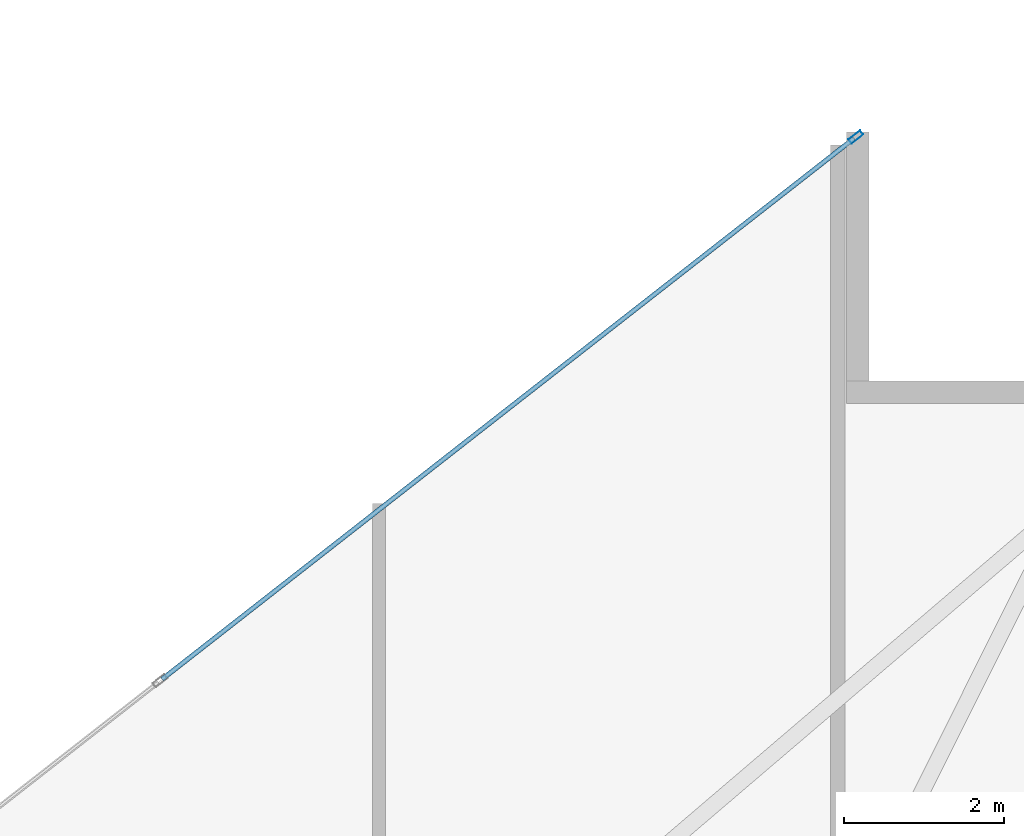
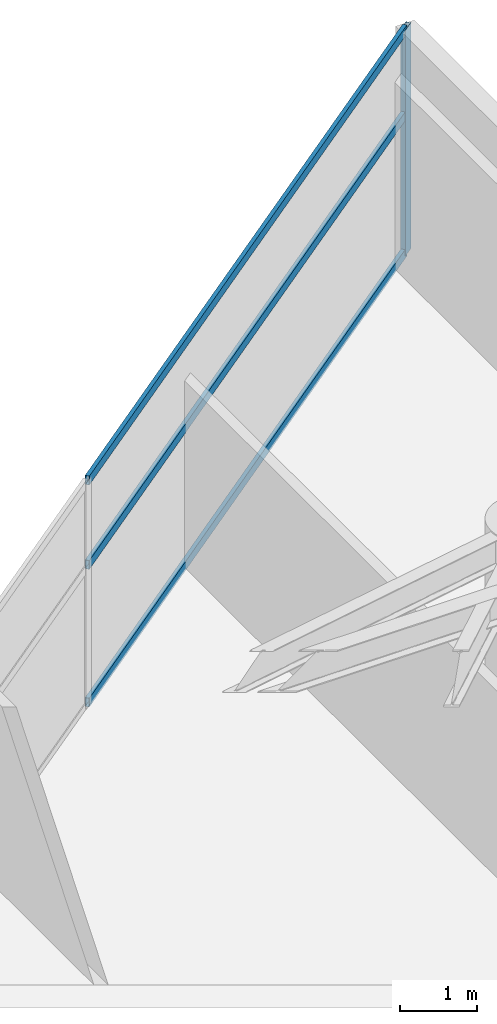
# One storey, part 22 of 30: 4 members, 1 element without a shape of its own.
"""IFC4 building model written with IfcOpenShell, lengths in metres."""

from ifc_helpers import new_model, si_unit, direction, frame, origin, origin_2d, place, context, subcontext, project, spatial, hollow_rectangle, extrude, material, layer, layer_set, material_profile, profile_set, type_object, element, aggregate, save


model = new_model("IFC4")

# Units and contexts
model_context = context("Model", 3, precision=1e-05, world=origin(), true_north=direction((0.0, 1.0)))
body_context = subcontext(model_context, "Body", "Model", "MODEL_VIEW")
ifc_project = project(units=[si_unit("LENGTHUNIT", "METRE"), si_unit("AREAUNIT", "SQUARE_METRE"), si_unit("VOLUMEUNIT", "CUBIC_METRE"), si_unit("PLANEANGLEUNIT", "RADIAN"), si_unit("MASSUNIT", "GRAM", prefix="KILO")], contexts=[model_context])

# Site, building, storey
site_placement = place(None, origin())
site = spatial("IfcSite", under=ifc_project, at=site_placement, CompositionType="ELEMENT")
building_placement = place(site_placement, origin())
building = spatial("IfcBuilding", under=site, at=building_placement, Name="Calvorn Quay Hotel", CompositionType="ELEMENT")
storey_placement = place(building_placement, frame((0.0, 0.0, 203.39990234375)))
storey = spatial("IfcBuildingStorey", under=building, at=storey_placement, Name="L50", CompositionType="ELEMENT", Elevation=203.39990234375)

# Curtain wall, members
ifc_material_1 = material(Name="Champagne Bronze Anodised Aluminium and Low-E Glass", Category="aluminium")
ifc_layer = layer(ifc_material_1, 0.219970703125)
ifc_layer_set = layer_set([ifc_layer], Name="CW-SYS-Z3")
curtain_wall_type = type_object("IfcCurtainWallType", Name="CW-SYS-Z3", PredefinedType="NOTDEFINED", material=ifc_layer_set)
curtain_wall_placement = place(storey_placement, origin())
curtain_wall = element("IfcCurtainWall", 1, at=curtain_wall_placement, inside=storey, type_object=curtain_wall_type, Name="Inner Court Curtain Wall L50-NE1", PredefinedType="NOTDEFINED")
ifc_material_2 = material(Name="Champagne Bronze Anodised Aluminium 6063-T6", Category="aluminium")
ifc_material_profile_1 = material_profile(ifc_material_2, hollow_rectangle(XDim=0.068115234375, YDim=0.18505859375, WallThickness=0.00390625, at=origin_2d()), Name="ALU-M185x68x4")
ifc_profile_set_1 = profile_set([ifc_material_profile_1], Name="Champagne Bronze Anodised Aluminium 6063-T6")
member_type_1 = type_object("IfcMemberType", Name="CW-SYS-Z3-MUL", PredefinedType="MULLION", material=ifc_profile_set_1)
member_1_placement = place(storey_placement, frame((38.976318359375, 37.9814453125, 0.0), z_axis=(0.0, 0.0, 1.0), x_axis=(0.615819768044, -0.787887056174, 0.0)))
member_1 = element("IfcMember", 2, at=member_1_placement, type_object=member_type_1, Name="CW-L50-NE1 mullion 1", PredefinedType="MULLION", context=body_context, shape_type="SweptSolid", body=[
    extrude(hollow_rectangle(XDim=0.068115234375, YDim=0.18505859375, WallThickness=0.00390625, at=origin_2d()), origin(), (0.0, 0.0, 1.0), 3.56005859375),
])
ifc_material_3 = material(Name="Champagne Bronze Anodised Aluminium 6063-T6", Category="aluminium")
ifc_material_profile_2 = material_profile(ifc_material_3, hollow_rectangle(XDim=0.05810546875, YDim=0.139892578125, WallThickness=0.003173828125, at=origin_2d()), Name="ALU-T140x58x3.2")
ifc_profile_set_2 = profile_set([ifc_material_profile_2], Name="Champagne Bronze Anodised Aluminium 6063-T6")
member_type_2 = type_object("IfcMemberType", Name="CW-SYS-Z3-TRN", PredefinedType="USERDEFINED", material=ifc_profile_set_2)
member_2_placement = place(storey_placement, frame((38.95263671875, 37.963134765625, 0.030029296875), z_axis=(-0.787878353679, -0.615830901956, 0.0), x_axis=(0.615830901956, -0.787878353679, 0.0)))
member_2 = element("IfcMember", 3, at=member_2_placement, type_object=member_type_2, Name="CW-L50-NE1 transom 1.1", ObjectType="TRANSOM", PredefinedType="USERDEFINED", context=body_context, shape_type="SweptSolid", body=[
    extrude(hollow_rectangle(XDim=0.05810546875, YDim=0.139892578125, WallThickness=0.003173828125, at=origin_2d()), origin(), (0.0, 0.0, 1.0), 10.9521484375),
])
member_3_placement = place(storey_placement, frame((38.95263671875, 37.963134765625, 2.2001953125), z_axis=(-0.787878353679, -0.615830901956, 0.0), x_axis=(0.615830901956, -0.787878353679, 0.0)))
member_3 = element("IfcMember", 4, at=member_3_placement, type_object=member_type_2, Name="CW-L50-NE1 transom 1.2", ObjectType="TRANSOM", PredefinedType="USERDEFINED", context=body_context, shape_type="SweptSolid", body=[
    extrude(hollow_rectangle(XDim=0.05810546875, YDim=0.139892578125, WallThickness=0.003173828125, at=origin_2d()), origin(), (0.0, 0.0, 1.0), 10.9521484375),
])
member_4_placement = place(storey_placement, frame((38.95263671875, 37.963134765625, 3.530029296875), z_axis=(-0.787878353679, -0.615830901956, 0.0), x_axis=(0.615830901956, -0.787878353679, 0.0)))
member_4 = element("IfcMember", 5, at=member_4_placement, type_object=member_type_2, Name="CW-L50-NE1 transom 1.3", ObjectType="TRANSOM", PredefinedType="USERDEFINED", context=body_context, shape_type="SweptSolid", body=[
    extrude(hollow_rectangle(XDim=0.05810546875, YDim=0.139892578125, WallThickness=0.003173828125, at=origin_2d()), origin(), (0.0, 0.0, 1.0), 10.9521484375),
])
aggregate(curtain_wall, [member_1, member_2, member_3, member_4])

save(model, "model.ifc")
